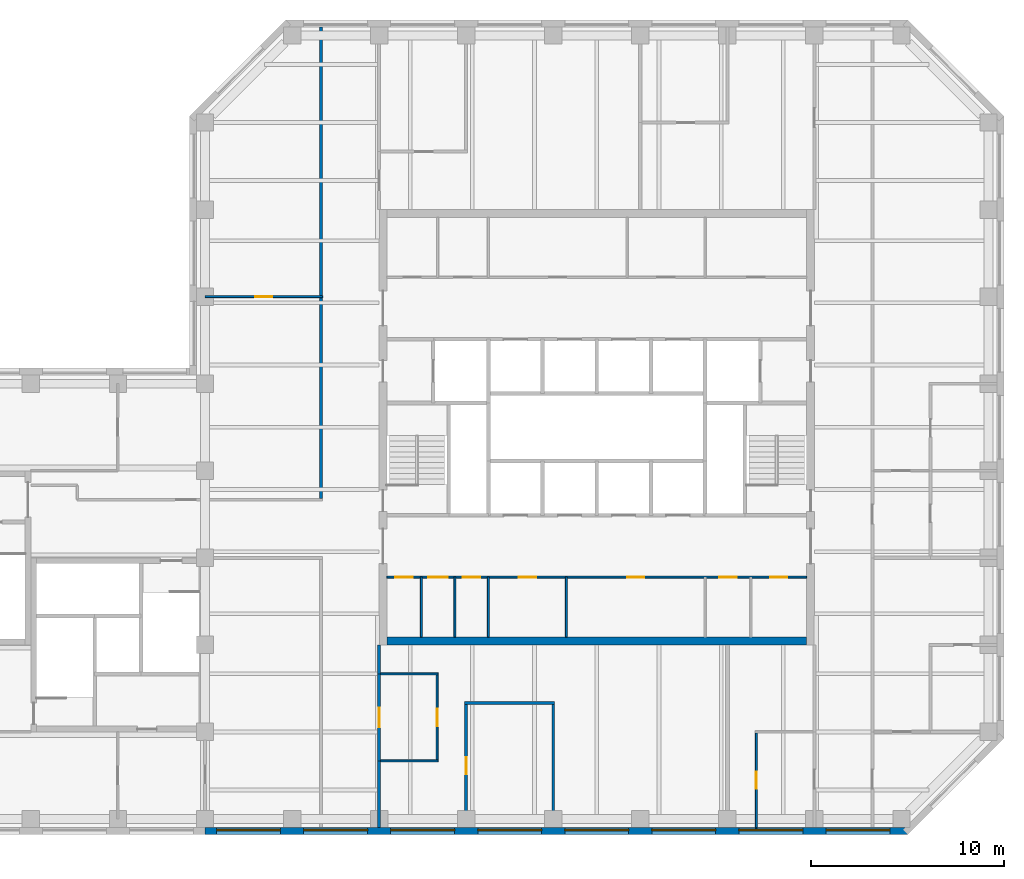
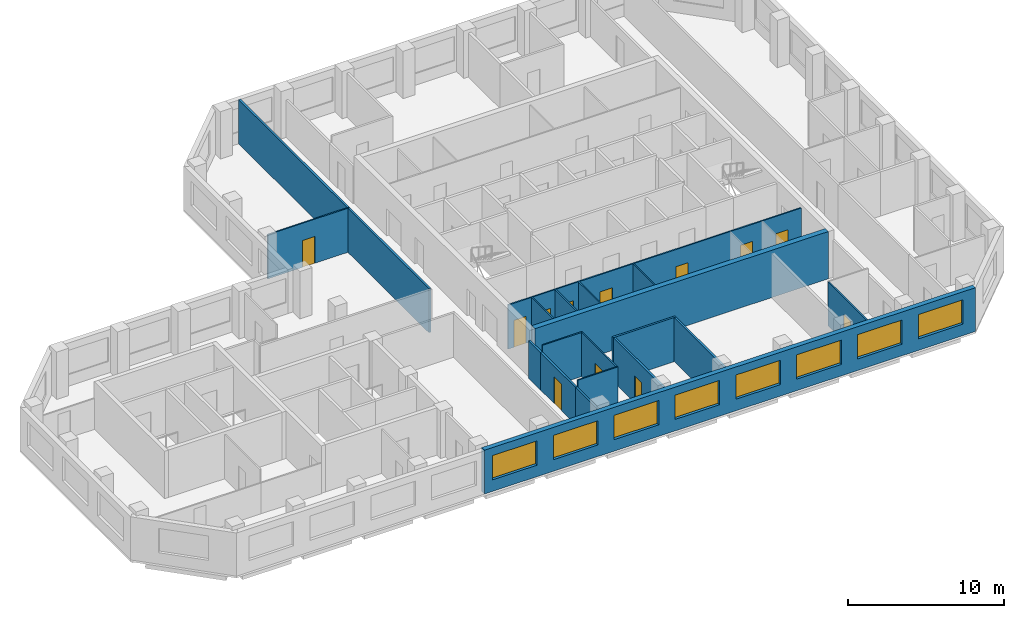
# One storey, part 4 of 9: 19 walls, 12 doors, 8 windows, 20 openings.
"""IFC4 building model written with IfcOpenShell, lengths in metres."""

from ifc_helpers import new_model, si_unit, direction, frame, frame_2d, origin, place, context, subcontext, project, spatial, rectangle, extrude, material, layer, layer_set, constituent, constituent_set, type_object, element, fill, save


model = new_model("IFC4")

# Units and contexts
model_context = context("Model", 3, precision=1e-05, world=origin(), true_north=direction((0.0, 1.0)))
body_context = subcontext(model_context, "Body", "Model", "MODEL_VIEW")
ifc_project = project(units=[si_unit("LENGTHUNIT", "METRE"), si_unit("AREAUNIT", "SQUARE_METRE"), si_unit("VOLUMEUNIT", "CUBIC_METRE"), si_unit("PLANEANGLEUNIT", "RADIAN"), si_unit("MASSUNIT", "GRAM", prefix="KILO")], contexts=[model_context])

# Site, building, storey
site_placement = place(None, origin())
site = spatial("IfcSite", under=ifc_project, at=site_placement, CompositionType="ELEMENT")
building_placement = place(site_placement, origin())
building = spatial("IfcBuilding", under=site, at=building_placement, Name="Quoin Convention Tower", CompositionType="ELEMENT")
storey_placement = place(building_placement, frame((0.0, 0.0, 260.0)))
storey = spatial("IfcBuildingStorey", under=building, at=storey_placement, Name="L68", CompositionType="ELEMENT", Elevation=260.0)

# Wall
ifc_material_1 = material(Name="Plasterboard")
ifc_layer_1 = layer(ifc_material_1, 0.012451171875, Name="Finish")
ifc_material_2 = material(Name="Steel stud framing", Category="steel")
ifc_layer_2 = layer(ifc_material_2, 0.125, Name="Structure")
ifc_layer_3 = layer(ifc_material_1, 0.012451171875, Name="Finish")
ifc_layer_set_1 = layer_set([ifc_layer_1, ifc_layer_2, ifc_layer_3], Name="Steel stud framing")
wall_type_1 = type_object("IfcWallType", Name="Acoustic partition 150", PredefinedType="PARTITIONING", material=ifc_layer_set_1)
wall_1_placement = place(storey_placement, frame((49.425048828125, 46.5, 0.0), z_axis=(0.0, 0.0, 1.0), x_axis=(1.0, 0.0, 0.0)))
element("IfcWall", 1, at=wall_1_placement, inside=storey, type_object=wall_type_1, Name="pw-L68-005", PredefinedType="PARTITIONING", context=body_context, shape_type="SweptSolid", body=[
    extrude(rectangle(XDim=4.64990234375, YDim=0.14990234375, at=frame_2d((2.324951171875, 0.0))), origin(), (0.0, 0.0, 1.0), 3.449951171875),
])

# Wall, opening, door
wall_2_placement = place(storey_placement, frame((49.5, 40.050048828125, 0.0), z_axis=(0.0, 0.0, 1.0), x_axis=(0.0, 1.0, 0.0)))
wall_2 = element("IfcWall", 2, at=wall_2_placement, inside=storey, type_object=wall_type_1, Name="pw-L68-023", PredefinedType="PARTITIONING", context=body_context, shape_type="SweptSolid", body=[
    extrude(rectangle(XDim=6.375, YDim=0.14990234375, at=frame_2d((3.1875, 0.0))), origin(), (0.0, 0.0, 1.0), 3.449951171875),
])
opening_1_placement = place(wall_2_placement, frame((2.75, 0.0, 0.0)))
opening_1 = element("IfcOpeningElement", 3, at=opening_1_placement, cuts=wall_2, Name="Opening DOHS-07", PredefinedType="OPENING", context=body_context, shape_type="SweptSolid", body=[
    extrude(rectangle(XDim=0.89990234375, YDim=2.10009765625, at=frame_2d((0.449951171875, 1.050048828125))), frame((0.0, 0.0849609375, 0.0), z_axis=(0.0, -1.0, 0.0), x_axis=(1.0, 0.0, 0.0)), (0.0, 0.0, 1.0), 0.169921875),
])
ifc_material_3 = material(Name="Steel door leaf", Category="steel")
door_type_1 = type_object("IfcDoorType", Name="Office door 900 x 2100", OperationType="SINGLE_SWING_RIGHT", PredefinedType="DOOR", material=ifc_material_3)
door_1_placement = place(opening_1_placement, origin())
door_1 = element("IfcDoor", 4, at=door_1_placement, inside=storey, type_object=door_type_1, Name="dr-L68-07", OperationType="SINGLE_SWING_RIGHT", OverallHeight=2.10009765625, OverallWidth=0.89990234375, PredefinedType="DOOR", context=body_context, shape_type="SweptSolid", body=[
    extrude(rectangle(XDim=0.89990234375, YDim=2.10009765625, at=frame_2d((0.449951171875, 1.050048828125))), frame((0.0, 0.02490234375, 0.0), z_axis=(0.0, -1.0, 0.0), x_axis=(1.0, 0.0, 0.0)), (0.0, 0.0, 1.0), 0.050048828125),
])
fill(opening_1, door_1)

# Wall
wall_3_placement = place(storey_placement, frame((54.0, 40.050048828125, 0.0), z_axis=(0.0, 0.0, 1.0), x_axis=(0.0, 1.0, 0.0)))
element("IfcWall", 5, at=wall_3_placement, inside=storey, type_object=wall_type_1, Name="pw-L68-024", PredefinedType="PARTITIONING", context=body_context, shape_type="SweptSolid", body=[
    extrude(rectangle(XDim=6.375, YDim=0.14990234375, at=frame_2d((3.1875, 0.0))), origin(), (0.0, 0.0, 1.0), 3.449951171875),
])

# Wall, openings, windows
ifc_material_4 = material(Name="Brick masonry", Category="masonry")
ifc_layer_4 = layer(ifc_material_4, 0.35009765625)
ifc_layer_set_2 = layer_set([ifc_layer_4], Name="Brick masonry")
wall_type_2 = type_object("IfcWallType", Name="Brick facade wall", PredefinedType="STANDARD", material=ifc_layer_set_2)
wall_4_placement = place(storey_placement, frame((36.0, 39.875, 0.0), z_axis=(0.0, 0.0, 1.0), x_axis=(1.0, 0.0, 0.0)))
wall_4 = element("IfcWall", 6, at=wall_4_placement, inside=storey, type_object=wall_type_2, Name="fw-L68-36000_40500", PredefinedType="STANDARD", context=body_context, shape_type="SweptSolid", body=[
    extrude(rectangle(XDim=36.331298828125, YDim=0.35009765625, at=frame_2d((18.16552734375, 0.0))), origin(), (0.0, 0.0, 1.0), 3.425048828125),
])
opening_2_placement = place(wall_4_placement, frame((0.60009765625, 0.0, 0.89990234375)))
opening_2 = element("IfcOpeningElement", 7, at=opening_2_placement, cuts=wall_4, Name="Opening W-02", PredefinedType="OPENING", context=body_context, shape_type="SweptSolid", body=[
    extrude(rectangle(XDim=3.300048828125, YDim=1.89990234375, at=frame_2d((1.64990234375, 0.949951171875))), frame((0.0, 0.18505859375, 0.0), z_axis=(0.0, -1.0, 0.0), x_axis=(1.0, 0.0, 0.0)), (0.0, 0.0, 1.0), 0.3701171875),
])
opening_3_placement = place(wall_4_placement, frame((5.10009765625, 0.0, 0.89990234375)))
opening_3 = element("IfcOpeningElement", 8, at=opening_3_placement, cuts=wall_4, Name="Opening W-02", PredefinedType="OPENING", context=body_context, shape_type="SweptSolid", body=[
    extrude(rectangle(XDim=3.300048828125, YDim=1.89990234375, at=frame_2d((1.64990234375, 0.949951171875))), frame((0.0, 0.18505859375, 0.0), z_axis=(0.0, -1.0, 0.0), x_axis=(1.0, 0.0, 0.0)), (0.0, 0.0, 1.0), 0.3701171875),
])
opening_4_placement = place(wall_4_placement, frame((9.60009765625, 0.0, 0.89990234375)))
opening_4 = element("IfcOpeningElement", 9, at=opening_4_placement, cuts=wall_4, Name="Opening W-02", PredefinedType="OPENING", context=body_context, shape_type="SweptSolid", body=[
    extrude(rectangle(XDim=3.300048828125, YDim=1.89990234375, at=frame_2d((1.64990234375, 0.949951171875))), frame((0.0, 0.18505859375, 0.0), z_axis=(0.0, -1.0, 0.0), x_axis=(1.0, 0.0, 0.0)), (0.0, 0.0, 1.0), 0.3701171875),
])
opening_5_placement = place(wall_4_placement, frame((14.10009765625, 0.0, 0.89990234375)))
opening_5 = element("IfcOpeningElement", 10, at=opening_5_placement, cuts=wall_4, Name="Opening W-02", PredefinedType="OPENING", context=body_context, shape_type="SweptSolid", body=[
    extrude(rectangle(XDim=3.300048828125, YDim=1.89990234375, at=frame_2d((1.64990234375, 0.949951171875))), frame((0.0, 0.18505859375, 0.0), z_axis=(0.0, -1.0, 0.0), x_axis=(1.0, 0.0, 0.0)), (0.0, 0.0, 1.0), 0.3701171875),
])
opening_6_placement = place(wall_4_placement, frame((18.60009765625, 0.0, 0.89990234375)))
opening_6 = element("IfcOpeningElement", 11, at=opening_6_placement, cuts=wall_4, Name="Opening W-02", PredefinedType="OPENING", context=body_context, shape_type="SweptSolid", body=[
    extrude(rectangle(XDim=3.300048828125, YDim=1.89990234375, at=frame_2d((1.64990234375, 0.949951171875))), frame((0.0, 0.18505859375, 0.0), z_axis=(0.0, -1.0, 0.0), x_axis=(1.0, 0.0, 0.0)), (0.0, 0.0, 1.0), 0.3701171875),
])
opening_7_placement = place(wall_4_placement, frame((23.10009765625, 0.0, 0.89990234375)))
opening_7 = element("IfcOpeningElement", 12, at=opening_7_placement, cuts=wall_4, Name="Opening W-02", PredefinedType="OPENING", context=body_context, shape_type="SweptSolid", body=[
    extrude(rectangle(XDim=3.300048828125, YDim=1.89990234375, at=frame_2d((1.64990234375, 0.949951171875))), frame((0.0, 0.18505859375, 0.0), z_axis=(0.0, -1.0, 0.0), x_axis=(1.0, 0.0, 0.0)), (0.0, 0.0, 1.0), 0.3701171875),
])
opening_8_placement = place(wall_4_placement, frame((27.60009765625, 0.0, 0.89990234375)))
opening_8 = element("IfcOpeningElement", 13, at=opening_8_placement, cuts=wall_4, Name="Opening W-02", PredefinedType="OPENING", context=body_context, shape_type="SweptSolid", body=[
    extrude(rectangle(XDim=3.300048828125, YDim=1.89990234375, at=frame_2d((1.64990234375, 0.949951171875))), frame((0.0, 0.18505859375, 0.0), z_axis=(0.0, -1.0, 0.0), x_axis=(1.0, 0.0, 0.0)), (0.0, 0.0, 1.0), 0.3701171875),
])
opening_9_placement = place(wall_4_placement, frame((32.10009765625, 0.0, 0.89990234375)))
opening_9 = element("IfcOpeningElement", 14, at=opening_9_placement, cuts=wall_4, Name="Opening W-02", PredefinedType="OPENING", context=body_context, shape_type="SweptSolid", body=[
    extrude(rectangle(XDim=3.300048828125, YDim=1.89990234375, at=frame_2d((1.64990234375, 0.949951171875))), frame((0.0, 0.18505859375, 0.0), z_axis=(0.0, -1.0, 0.0), x_axis=(1.0, 0.0, 0.0)), (0.0, 0.0, 1.0), 0.3701171875),
])
ifc_material_5 = material(Name="Aluminium", Category="aluminium")
ifc_constituent_1 = constituent(ifc_material_5, Name="Frame")
ifc_material_6 = material(Name="Insulated glass", Category="glass")
ifc_constituent_2 = constituent(ifc_material_6, Name="Glazing")
ifc_constituent_set = constituent_set(constituents=[ifc_constituent_1, ifc_constituent_2], Name="Aluminium")
window_type = type_object("IfcWindowType", Name="Office window", PartitioningType="DOUBLE_PANEL_VERTICAL", PredefinedType="WINDOW", material=ifc_constituent_set)
window_1_placement = place(opening_2_placement, origin())
window_1 = element("IfcWindow", 15, at=window_1_placement, inside=storey, type_object=window_type, Name="win-L68-38250_39875", OverallHeight=1.89990234375, OverallWidth=3.300048828125, PartitioningType="SINGLE_PANEL", PredefinedType="WINDOW", context=body_context, shape_type="SweptSolid", body=[
    extrude(rectangle(XDim=3.300048828125, YDim=1.89990234375, at=frame_2d((1.64990234375, 0.949951171875))), frame((0.0, 0.0849609375, 0.0), z_axis=(0.0, -1.0, 0.0), x_axis=(1.0, 0.0, 0.0)), (0.0, 0.0, 1.0), 0.06005859375),
])
fill(opening_2, window_1)
window_2_placement = place(opening_3_placement, origin())
window_2 = element("IfcWindow", 16, at=window_2_placement, inside=storey, type_object=window_type, Name="win-L68-42750_39875", OverallHeight=1.89990234375, OverallWidth=3.300048828125, PartitioningType="SINGLE_PANEL", PredefinedType="WINDOW", context=body_context, shape_type="SweptSolid", body=[
    extrude(rectangle(XDim=3.300048828125, YDim=1.89990234375, at=frame_2d((1.64990234375, 0.949951171875))), frame((0.0, 0.0849609375, 0.0), z_axis=(0.0, -1.0, 0.0), x_axis=(1.0, 0.0, 0.0)), (0.0, 0.0, 1.0), 0.06005859375),
])
fill(opening_3, window_2)
window_3_placement = place(opening_4_placement, origin())
window_3 = element("IfcWindow", 17, at=window_3_placement, inside=storey, type_object=window_type, Name="win-L68-47250_39875", OverallHeight=1.89990234375, OverallWidth=3.300048828125, PartitioningType="SINGLE_PANEL", PredefinedType="WINDOW", context=body_context, shape_type="SweptSolid", body=[
    extrude(rectangle(XDim=3.300048828125, YDim=1.89990234375, at=frame_2d((1.64990234375, 0.949951171875))), frame((0.0, 0.0849609375, 0.0), z_axis=(0.0, -1.0, 0.0), x_axis=(1.0, 0.0, 0.0)), (0.0, 0.0, 1.0), 0.06005859375),
])
fill(opening_4, window_3)
window_4_placement = place(opening_5_placement, origin())
window_4 = element("IfcWindow", 18, at=window_4_placement, inside=storey, type_object=window_type, Name="win-L68-51750_39875", OverallHeight=1.89990234375, OverallWidth=3.300048828125, PartitioningType="SINGLE_PANEL", PredefinedType="WINDOW", context=body_context, shape_type="SweptSolid", body=[
    extrude(rectangle(XDim=3.300048828125, YDim=1.89990234375, at=frame_2d((1.64990234375, 0.949951171875))), frame((0.0, 0.0849609375, 0.0), z_axis=(0.0, -1.0, 0.0), x_axis=(1.0, 0.0, 0.0)), (0.0, 0.0, 1.0), 0.06005859375),
])
fill(opening_5, window_4)
window_5_placement = place(opening_6_placement, origin())
window_5 = element("IfcWindow", 19, at=window_5_placement, inside=storey, type_object=window_type, Name="win-L68-56250_39875", OverallHeight=1.89990234375, OverallWidth=3.300048828125, PartitioningType="SINGLE_PANEL", PredefinedType="WINDOW", context=body_context, shape_type="SweptSolid", body=[
    extrude(rectangle(XDim=3.300048828125, YDim=1.89990234375, at=frame_2d((1.64990234375, 0.949951171875))), frame((0.0, 0.0849609375, 0.0), z_axis=(0.0, -1.0, 0.0), x_axis=(1.0, 0.0, 0.0)), (0.0, 0.0, 1.0), 0.06005859375),
])
fill(opening_6, window_5)
window_6_placement = place(opening_7_placement, origin())
window_6 = element("IfcWindow", 20, at=window_6_placement, inside=storey, type_object=window_type, Name="win-L68-60750_39875", OverallHeight=1.89990234375, OverallWidth=3.300048828125, PartitioningType="SINGLE_PANEL", PredefinedType="WINDOW", context=body_context, shape_type="SweptSolid", body=[
    extrude(rectangle(XDim=3.300048828125, YDim=1.89990234375, at=frame_2d((1.64990234375, 0.949951171875))), frame((0.0, 0.0849609375, 0.0), z_axis=(0.0, -1.0, 0.0), x_axis=(1.0, 0.0, 0.0)), (0.0, 0.0, 1.0), 0.06005859375),
])
fill(opening_7, window_6)
window_7_placement = place(opening_8_placement, origin())
window_7 = element("IfcWindow", 21, at=window_7_placement, inside=storey, type_object=window_type, Name="win-L68-65250_39875", OverallHeight=1.89990234375, OverallWidth=3.300048828125, PartitioningType="SINGLE_PANEL", PredefinedType="WINDOW", context=body_context, shape_type="SweptSolid", body=[
    extrude(rectangle(XDim=3.300048828125, YDim=1.89990234375, at=frame_2d((1.64990234375, 0.949951171875))), frame((0.0, 0.0849609375, 0.0), z_axis=(0.0, -1.0, 0.0), x_axis=(1.0, 0.0, 0.0)), (0.0, 0.0, 1.0), 0.06005859375),
])
fill(opening_8, window_7)
window_8_placement = place(opening_9_placement, origin())
window_8 = element("IfcWindow", 22, at=window_8_placement, inside=storey, type_object=window_type, Name="win-L68-69750_39875", OverallHeight=1.89990234375, OverallWidth=3.300048828125, PartitioningType="SINGLE_PANEL", PredefinedType="WINDOW", context=body_context, shape_type="SweptSolid", body=[
    extrude(rectangle(XDim=3.300048828125, YDim=1.89990234375, at=frame_2d((1.64990234375, 0.949951171875))), frame((0.0, 0.0849609375, 0.0), z_axis=(0.0, -1.0, 0.0), x_axis=(1.0, 0.0, 0.0)), (0.0, 0.0, 1.0), 0.06005859375),
])
fill(opening_9, window_8)

# Wall, openings, doors
ifc_layer_5 = layer(ifc_material_1, 0.012451171875, Name="Finish")
ifc_layer_6 = layer(ifc_material_2, 0.074951171875, Name="Structure")
ifc_layer_7 = layer(ifc_material_1, 0.012451171875, Name="Finish")
ifc_layer_set_3 = layer_set([ifc_layer_5, ifc_layer_6, ifc_layer_7], Name="Steel stud framing")
wall_type_3 = type_object("IfcWallType", Name="Core partition wall", PredefinedType="PARTITIONING", material=ifc_layer_set_3)
wall_5_placement = place(storey_placement, frame((45.39990234375, 53.0, 0.0), z_axis=(0.0, 0.0, 1.0), x_axis=(1.0, 0.0, 0.0)))
wall_5 = element("IfcWall", 23, at=wall_5_placement, inside=storey, type_object=wall_type_3, Name="cr-C1-L68-h3500_400", PredefinedType="PARTITIONING", context=body_context, shape_type="SweptSolid", body=[
    extrude(rectangle(XDim=21.7001953125, YDim=0.10009765625, at=frame_2d((10.85009765625, 0.0))), origin(), (0.0, 0.0, 1.0), 3.449951171875),
])
opening_10_placement = place(wall_5_placement, frame((19.806396484375, 0.0, 0.0)))
opening_10 = element("IfcOpeningElement", 24, at=opening_10_placement, cuts=wall_5, Name="Opening DCV5-40", PredefinedType="OPENING", context=body_context, shape_type="SweptSolid", body=[
    extrude(rectangle(XDim=0.89990234375, YDim=2.10009765625, at=frame_2d((0.449951171875, 1.050048828125))), frame((0.0, 0.06005859375, 0.0), z_axis=(0.0, -1.0, 0.0), x_axis=(1.0, 0.0, 0.0)), (0.0, 0.0, 1.0), 0.1201171875),
])
opening_11_placement = place(wall_5_placement, frame((17.181396484375, 0.0, 0.0)))
opening_11 = element("IfcOpeningElement", 25, at=opening_11_placement, cuts=wall_5, Name="Opening DCV5-39", PredefinedType="OPENING", context=body_context, shape_type="SweptSolid", body=[
    extrude(rectangle(XDim=0.89990234375, YDim=2.10009765625, at=frame_2d((0.449951171875, 1.050048828125))), frame((0.0, 0.06005859375, 0.0), z_axis=(0.0, -1.0, 0.0), x_axis=(1.0, 0.0, 0.0)), (0.0, 0.0, 1.0), 0.1201171875),
])
opening_12_placement = place(wall_5_placement, frame((0.4423828125, 0.0, 0.0)))
opening_12 = element("IfcOpeningElement", 26, at=opening_12_placement, cuts=wall_5, Name="Opening DCV5-31", PredefinedType="OPENING", context=body_context, shape_type="SweptSolid", body=[
    extrude(rectangle(XDim=0.89990234375, YDim=2.10009765625, at=frame_2d((0.449951171875, 1.050048828125))), frame((0.0, 0.06005859375, 0.0), z_axis=(0.0, -1.0, 0.0), x_axis=(1.0, 0.0, 0.0)), (0.0, 0.0, 1.0), 0.1201171875),
])
opening_13_placement = place(wall_5_placement, frame((2.1513671875, 0.0, 0.0)))
opening_13 = element("IfcOpeningElement", 27, at=opening_13_placement, cuts=wall_5, Name="Opening DCV5-32", PredefinedType="OPENING", context=body_context, shape_type="SweptSolid", body=[
    extrude(rectangle(XDim=1.0, YDim=2.10009765625, at=frame_2d((0.5, 1.050048828125))), frame((0.0, 0.06005859375, 0.0), z_axis=(0.0, -1.0, 0.0), x_axis=(1.0, 0.0, 0.0)), (0.0, 0.0, 1.0), 0.1201171875),
])
opening_14_placement = place(wall_5_placement, frame((3.93359375, 0.0, 0.0)))
opening_14 = element("IfcOpeningElement", 28, at=opening_14_placement, cuts=wall_5, Name="Opening DCV5-33", PredefinedType="OPENING", context=body_context, shape_type="SweptSolid", body=[
    extrude(rectangle(XDim=0.89990234375, YDim=2.10009765625, at=frame_2d((0.449951171875, 1.050048828125))), frame((0.0, 0.06005859375, 0.0), z_axis=(0.0, -1.0, 0.0), x_axis=(1.0, 0.0, 0.0)), (0.0, 0.0, 1.0), 0.1201171875),
])
opening_15_placement = place(wall_5_placement, frame((6.81591796875, 0.0, 0.0)))
opening_15 = element("IfcOpeningElement", 29, at=opening_15_placement, cuts=wall_5, Name="Opening DCV5-35", PredefinedType="OPENING", context=body_context, shape_type="SweptSolid", body=[
    extrude(rectangle(XDim=0.89990234375, YDim=2.10009765625, at=frame_2d((0.449951171875, 1.050048828125))), frame((0.0, 0.06005859375, 0.0), z_axis=(0.0, -1.0, 0.0), x_axis=(1.0, 0.0, 0.0)), (0.0, 0.0, 1.0), 0.1201171875),
])
opening_16_placement = place(wall_5_placement, frame((12.416015625, 0.0, 0.0)))
opening_16 = element("IfcOpeningElement", 30, at=opening_16_placement, cuts=wall_5, Name="Opening DCV5-37", PredefinedType="OPENING", context=body_context, shape_type="SweptSolid", body=[
    extrude(rectangle(XDim=0.89990234375, YDim=2.10009765625, at=frame_2d((0.449951171875, 1.050048828125))), frame((0.0, 0.06005859375, 0.0), z_axis=(0.0, -1.0, 0.0), x_axis=(1.0, 0.0, 0.0)), (0.0, 0.0, 1.0), 0.1201171875),
])
door_type_2 = type_object("IfcDoorType", Name="Core room door 1000 x 2100", OperationType="SINGLE_SWING_LEFT", PredefinedType="DOOR", material=ifc_material_3)
door_2_placement = place(opening_13_placement, frame((1.0, 0.0, 0.0), z_axis=(0.0, 0.0, 1.0), x_axis=(-1.0, 0.0, 0.0)))
door_2 = element("IfcDoor", 31, at=door_2_placement, inside=storey, type_object=door_type_2, Name="cd-C1-L68-CSW1-lobA-CD6813", OperationType="SINGLE_SWING_LEFT", OverallHeight=2.10009765625, OverallWidth=1.0, PredefinedType="DOOR", context=body_context, shape_type="SweptSolid", body=[
    extrude(rectangle(XDim=1.0, YDim=2.10009765625, at=frame_2d((0.5, 1.050048828125))), frame((0.0, 0.02490234375, 0.0), z_axis=(0.0, -1.0, 0.0), x_axis=(1.0, 0.0, 0.0)), (0.0, 0.0, 1.0), 0.050048828125),
])
fill(opening_13, door_2)
door_type_3 = type_object("IfcDoorType", Name="Core room door 900 x 2100", OperationType="SINGLE_SWING_LEFT", PredefinedType="DOOR", material=ifc_material_3)
door_3_placement = place(opening_10_placement, frame((0.89990234375, 0.0, 0.0), z_axis=(0.0, 0.0, 1.0), x_axis=(-1.0, 0.0, 0.0)))
door_3 = element("IfcDoor", 32, at=door_3_placement, inside=storey, type_object=door_type_3, Name="cd-C1-L68-CSE0-lobA-CD6810", OperationType="SINGLE_SWING_LEFT", OverallHeight=2.10009765625, OverallWidth=0.89990234375, PredefinedType="DOOR", context=body_context, shape_type="SweptSolid", body=[
    extrude(rectangle(XDim=0.89990234375, YDim=2.10009765625, at=frame_2d((0.449951171875, 1.050048828125))), frame((0.0, 0.02490234375, 0.0), z_axis=(0.0, -1.0, 0.0), x_axis=(1.0, 0.0, 0.0)), (0.0, 0.0, 1.0), 0.050048828125),
])
fill(opening_10, door_3)
door_4_placement = place(opening_11_placement, frame((0.89990234375, 0.0, 0.0), z_axis=(0.0, 0.0, 1.0), x_axis=(-1.0, 0.0, 0.0)))
door_4 = element("IfcDoor", 33, at=door_4_placement, inside=storey, type_object=door_type_3, Name="cd-C1-L68-CSE1-lobA-CD6811", OperationType="SINGLE_SWING_LEFT", OverallHeight=2.10009765625, OverallWidth=0.89990234375, PredefinedType="DOOR", context=body_context, shape_type="SweptSolid", body=[
    extrude(rectangle(XDim=0.89990234375, YDim=2.10009765625, at=frame_2d((0.449951171875, 1.050048828125))), frame((0.0, 0.02490234375, 0.0), z_axis=(0.0, -1.0, 0.0), x_axis=(1.0, 0.0, 0.0)), (0.0, 0.0, 1.0), 0.050048828125),
])
fill(opening_11, door_4)
door_5_placement = place(opening_12_placement, frame((0.89990234375, 0.0, 0.0), z_axis=(0.0, 0.0, 1.0), x_axis=(-1.0, 0.0, 0.0)))
door_5 = element("IfcDoor", 34, at=door_5_placement, inside=storey, type_object=door_type_3, Name="cd-C1-L68-CSW0-lobA-CD6812", OperationType="SINGLE_SWING_LEFT", OverallHeight=2.10009765625, OverallWidth=0.89990234375, PredefinedType="DOOR", context=body_context, shape_type="SweptSolid", body=[
    extrude(rectangle(XDim=0.89990234375, YDim=2.10009765625, at=frame_2d((0.449951171875, 1.050048828125))), frame((0.0, 0.02490234375, 0.0), z_axis=(0.0, -1.0, 0.0), x_axis=(1.0, 0.0, 0.0)), (0.0, 0.0, 1.0), 0.050048828125),
])
fill(opening_12, door_5)
door_6_placement = place(opening_14_placement, frame((0.89990234375, 0.0, 0.0), z_axis=(0.0, 0.0, 1.0), x_axis=(-1.0, 0.0, 0.0)))
door_6 = element("IfcDoor", 35, at=door_6_placement, inside=storey, type_object=door_type_3, Name="cd-C1-L68-CSW2-lobA-CD6814", OperationType="SINGLE_SWING_LEFT", OverallHeight=2.10009765625, OverallWidth=0.89990234375, PredefinedType="DOOR", context=body_context, shape_type="SweptSolid", body=[
    extrude(rectangle(XDim=0.89990234375, YDim=2.10009765625, at=frame_2d((0.449951171875, 1.050048828125))), frame((0.0, 0.02490234375, 0.0), z_axis=(0.0, -1.0, 0.0), x_axis=(1.0, 0.0, 0.0)), (0.0, 0.0, 1.0), 0.050048828125),
])
fill(opening_14, door_6)
door_7_placement = place(opening_15_placement, frame((0.89990234375, 0.0, 0.0), z_axis=(0.0, 0.0, 1.0), x_axis=(-1.0, 0.0, 0.0)))
door_7 = element("IfcDoor", 36, at=door_7_placement, inside=storey, type_object=door_type_3, Name="cd-C1-L68-F10-lobA-CD6815", OperationType="SINGLE_SWING_LEFT", OverallHeight=2.10009765625, OverallWidth=0.89990234375, PredefinedType="DOOR", context=body_context, shape_type="SweptSolid", body=[
    extrude(rectangle(XDim=0.89990234375, YDim=2.10009765625, at=frame_2d((0.449951171875, 1.050048828125))), frame((0.0, 0.02490234375, 0.0), z_axis=(0.0, -1.0, 0.0), x_axis=(1.0, 0.0, 0.0)), (0.0, 0.0, 1.0), 0.050048828125),
])
fill(opening_15, door_7)
door_8_placement = place(opening_16_placement, frame((0.89990234375, 0.0, 0.0), z_axis=(0.0, 0.0, 1.0), x_axis=(-1.0, 0.0, 0.0)))
door_8 = element("IfcDoor", 37, at=door_8_placement, inside=storey, type_object=door_type_3, Name="cd-C1-L68-F11-lobA-CD6816", OperationType="SINGLE_SWING_LEFT", OverallHeight=2.10009765625, OverallWidth=0.89990234375, PredefinedType="DOOR", context=body_context, shape_type="SweptSolid", body=[
    extrude(rectangle(XDim=0.89990234375, YDim=2.10009765625, at=frame_2d((0.449951171875, 1.050048828125))), frame((0.0, 0.02490234375, 0.0), z_axis=(0.0, -1.0, 0.0), x_axis=(1.0, 0.0, 0.0)), (0.0, 0.0, 1.0), 0.050048828125),
])
fill(opening_16, door_8)

# Walls
for number, where, z_axis, x_axis, name in (
    (38, (47.18505859375, 49.89990234375, 0.0), (0.0, 0.0, 1.0), (0.0, 1.0, 0.0), "cr-C1-L68-v2185_400"),
    (39, (48.91748046875, 49.89990234375, 0.0), (0.0, 0.0, 1.0), (0.0, 1.0, 0.0), "cr-C1-L68-v3918_400"),
    (40, (50.64990234375, 49.89990234375, 0.0), (0.0, 0.0, 1.0), (0.0, 1.0, 0.0), "cr-C1-L68-v5650_400"),
    (41, (54.681884765625, 49.89990234375, 0.0), (0.0, 0.0, 1.0), (0.0, 1.0, 0.0), "cr-C1-L68-v9682_400"),
):
    element("IfcWall", number, at=place(storey_placement, frame(where, z_axis=z_axis, x_axis=x_axis)), inside=storey, type_object=wall_type_3, Name=name, PredefinedType="PARTITIONING", context=body_context, shape_type="SweptSolid", body=[
        extrude(rectangle(XDim=3.10009765625, YDim=0.10009765625, at=frame_2d((1.550048828125, 0.0))), origin(), (0.0, 0.0, 1.0), 3.449951171875),
    ])
ifc_layer_8 = layer(ifc_material_1, 0.012451171875, Name="Finish")
ifc_layer_9 = layer(ifc_material_2, 0.125, Name="Structure")
ifc_layer_10 = layer(ifc_material_1, 0.012451171875, Name="Finish")
ifc_layer_set_4 = layer_set([ifc_layer_8, ifc_layer_9, ifc_layer_10], Name="Steel stud framing")
wall_type_4 = type_object("IfcWallType", Name="Corridor wall 150", PredefinedType="PARTITIONING", material=ifc_layer_set_4)
wall_6_placement = place(storey_placement, frame((42.0, 57.074951171875, 0.0), z_axis=(0.0, 0.0, 1.0), x_axis=(0.0, 1.0, 0.0)))
element("IfcWall", 42, at=wall_6_placement, inside=storey, type_object=wall_type_4, Name="pw-L68-041", PredefinedType="PARTITIONING", context=body_context, shape_type="SweptSolid", body=[
    extrude(rectangle(XDim=24.375, YDim=0.14990234375, at=frame_2d((12.1875, 0.0))), origin(), (0.0, 0.0, 1.0), 3.449951171875),
])
ifc_layer_11 = layer(ifc_material_1, 0.012451171875, Name="Finish")
ifc_layer_12 = layer(ifc_material_2, 0.125, Name="Structure")
ifc_layer_13 = layer(ifc_material_1, 0.012451171875, Name="Finish")
ifc_layer_set_5 = layer_set([ifc_layer_11, ifc_layer_12, ifc_layer_13], Name="Steel stud framing")
wall_type_5 = type_object("IfcWallType", Name="Corridor wall 150 under beam 528", PredefinedType="PARTITIONING", material=ifc_layer_set_5)
wall_7_placement = place(storey_placement, frame((45.0, 40.050048828125, 0.0), z_axis=(0.0, 0.0, 1.0), x_axis=(0.0, 1.0, 0.0)))
element("IfcWall", 43, at=wall_7_placement, inside=storey, type_object=wall_type_5, Name="pw-L68-022", PredefinedType="PARTITIONING", context=body_context, shape_type="SweptSolid", body=[
    extrude(rectangle(XDim=3.449951171875, YDim=0.14990234375, at=frame_2d((1.72509765625, 0.0))), origin(), (0.0, 0.0, 1.0), 2.922119140625),
])

# Wall, opening, door
wall_8_placement = place(storey_placement, frame((45.0, 43.5, 0.0), z_axis=(0.0, 0.0, 1.0), x_axis=(0.0, 1.0, 0.0)))
wall_8 = element("IfcWall", 44, at=wall_8_placement, inside=storey, type_object=wall_type_5, Name="pw-L68-030", PredefinedType="PARTITIONING", context=body_context, shape_type="SweptSolid", body=[
    extrude(rectangle(XDim=4.5, YDim=0.14990234375, at=frame_2d((2.25, 0.0))), origin(), (0.0, 0.0, 1.0), 2.922119140625),
])
opening_17_placement = place(wall_8_placement, frame((1.75, 0.0, 0.0)))
opening_17 = element("IfcOpeningElement", 45, at=opening_17_placement, cuts=wall_8, Name="Opening DOHS-12", PredefinedType="OPENING", context=body_context, shape_type="SweptSolid", body=[
    extrude(rectangle(XDim=1.0, YDim=2.10009765625, at=frame_2d((0.5, 1.050048828125))), frame((0.0, 0.0849609375, 0.0), z_axis=(0.0, -1.0, 0.0), x_axis=(1.0, 0.0, 0.0)), (0.0, 0.0, 1.0), 0.169921875),
])
door_type_4 = type_object("IfcDoorType", Name="Tenancy entrance door 1000 x 2100", OperationType="DOUBLE_DOOR_SINGLE_SWING", PredefinedType="DOOR", material=ifc_material_3)
door_9_placement = place(opening_17_placement, frame((1.0, 0.0, 0.0), z_axis=(0.0, 0.0, 1.0), x_axis=(-1.0, 0.0, 0.0)))
door_9 = element("IfcDoor", 46, at=door_9_placement, inside=storey, type_object=door_type_4, Name="dr-L68-05", OperationType="DOUBLE_DOOR_SINGLE_SWING", OverallHeight=2.10009765625, OverallWidth=1.0, PredefinedType="DOOR", context=body_context, shape_type="SweptSolid", body=[
    extrude(rectangle(XDim=1.0, YDim=2.10009765625, at=frame_2d((0.5, 1.050048828125))), frame((0.0, 0.02490234375, 0.0), z_axis=(0.0, -1.0, 0.0), x_axis=(1.0, 0.0, 0.0)), (0.0, 0.0, 1.0), 0.050048828125),
])
fill(opening_17, door_9)

# Walls
wall_9_placement = place(storey_placement, frame((45.0, 48.0, 0.0), z_axis=(0.0, 0.0, 1.0), x_axis=(0.0, 1.0, 0.0)))
element("IfcWall", 47, at=wall_9_placement, inside=storey, type_object=wall_type_5, Name="pw-L68-035", PredefinedType="PARTITIONING", context=body_context, shape_type="SweptSolid", body=[
    extrude(rectangle(XDim=1.5, YDim=0.14990234375, at=frame_2d((0.75, 0.0))), origin(), (0.0, 0.0, 1.0), 2.922119140625),
])
ifc_material_7 = material(Name="Concrete C50", Category="concrete")
ifc_layer_14 = layer(ifc_material_7, 0.39990234375)
ifc_layer_set_6 = layer_set([ifc_layer_14], Name="Concrete C50")
wall_type_6 = type_object("IfcWallType", Name="RC CORE WALL 400 C50", PredefinedType="SHEAR", material=ifc_layer_set_6)
wall_10_placement = place(storey_placement, frame((45.39990234375, 49.699951171875, 0.0), z_axis=(0.0, 0.0, 1.0), x_axis=(1.0, 0.0, 0.0)))
element("IfcWall", 48, at=wall_10_placement, inside=storey, type_object=wall_type_6, Name="cwl-C1-L68-S", PredefinedType="SHEAR", context=body_context, shape_type="SweptSolid", body=[
    extrude(rectangle(XDim=21.7001953125, YDim=0.39990234375, at=frame_2d((10.85009765625, 0.0))), origin(), (0.0, 0.0, 1.0), 3.699951171875),
])
ifc_layer_15 = layer(ifc_material_1, 0.012451171875, Name="Finish")
ifc_layer_16 = layer(ifc_material_2, 0.074951171875, Name="Structure")
ifc_layer_17 = layer(ifc_material_1, 0.012451171875, Name="Finish")
ifc_layer_set_7 = layer_set([ifc_layer_15, ifc_layer_16, ifc_layer_17], Name="Steel stud framing")
wall_type_7 = type_object("IfcWallType", Name="Stud partition 100", PredefinedType="PARTITIONING", material=ifc_layer_set_7)
for number, where, z_axis, x_axis, name in (
    (49, (45.074951171875, 43.5, 0.0), (0.0, 0.0, 1.0), (1.0, 0.0, 0.0), "pw-L68-001"),
    (50, (45.074951171875, 48.0, 0.0), (0.0, 0.0, 1.0), (1.0, 0.0, 0.0), "pw-L68-006"),
):
    element("IfcWall", number, at=place(storey_placement, frame(where, z_axis=z_axis, x_axis=x_axis)), inside=storey, type_object=wall_type_7, Name=name, PredefinedType="PARTITIONING", context=body_context, shape_type="SweptSolid", body=[
        extrude(rectangle(XDim=2.97509765625, YDim=0.10009765625, at=frame_2d((1.487548828125, 0.0))), origin(), (0.0, 0.0, 1.0), 3.449951171875),
    ])

# Wall, opening, door
wall_11_placement = place(storey_placement, frame((64.5, 40.050048828125, 0.0), z_axis=(0.0, 0.0, 1.0), x_axis=(0.0, 1.0, 0.0)))
wall_11 = element("IfcWall", 51, at=wall_11_placement, inside=storey, type_object=wall_type_7, Name="pw-L68-026", PredefinedType="PARTITIONING", context=body_context, shape_type="SweptSolid", body=[
    extrude(rectangle(XDim=4.89990234375, YDim=0.10009765625, at=frame_2d((2.449951171875, 0.0))), origin(), (0.0, 0.0, 1.0), 3.449951171875),
])
opening_18_placement = place(wall_11_placement, frame((2.0, 0.0, 0.0)))
opening_18 = element("IfcOpeningElement", 52, at=opening_18_placement, cuts=wall_11, Name="Opening DOHS-08", PredefinedType="OPENING", context=body_context, shape_type="SweptSolid", body=[
    extrude(rectangle(XDim=0.89990234375, YDim=2.10009765625, at=frame_2d((0.449951171875, 1.050048828125))), frame((0.0, 0.06005859375, 0.0), z_axis=(0.0, -1.0, 0.0), x_axis=(1.0, 0.0, 0.0)), (0.0, 0.0, 1.0), 0.1201171875),
])
door_10_placement = place(opening_18_placement, origin())
door_10 = element("IfcDoor", 53, at=door_10_placement, inside=storey, type_object=door_type_1, Name="dr-L68-09", OperationType="SINGLE_SWING_RIGHT", OverallHeight=2.10009765625, OverallWidth=0.89990234375, PredefinedType="DOOR", context=body_context, shape_type="SweptSolid", body=[
    extrude(rectangle(XDim=0.89990234375, YDim=2.10009765625, at=frame_2d((0.449951171875, 1.050048828125))), frame((0.0, 0.02490234375, 0.0), z_axis=(0.0, -1.0, 0.0), x_axis=(1.0, 0.0, 0.0)), (0.0, 0.0, 1.0), 0.050048828125),
])
fill(opening_18, door_10)

wall_12_placement = place(storey_placement, frame((48.0, 43.550048828125, 0.0), z_axis=(0.0, 0.0, 1.0), x_axis=(0.0, 1.0, 0.0)))
wall_12 = element("IfcWall", 54, at=wall_12_placement, inside=storey, type_object=wall_type_7, Name="pw-L68-031", PredefinedType="PARTITIONING", context=body_context, shape_type="SweptSolid", body=[
    extrude(rectangle(XDim=4.39990234375, YDim=0.10009765625, at=frame_2d((2.199951171875, 0.0))), origin(), (0.0, 0.0, 1.0), 3.449951171875),
])
opening_19_placement = place(wall_12_placement, frame((1.75, 0.0, 0.0)))
opening_19 = element("IfcOpeningElement", 55, at=opening_19_placement, cuts=wall_12, Name="Opening DOHS-13", PredefinedType="OPENING", context=body_context, shape_type="SweptSolid", body=[
    extrude(rectangle(XDim=0.89990234375, YDim=2.10009765625, at=frame_2d((0.449951171875, 1.050048828125))), frame((0.0, 0.06005859375, 0.0), z_axis=(0.0, -1.0, 0.0), x_axis=(1.0, 0.0, 0.0)), (0.0, 0.0, 1.0), 0.1201171875),
])
door_11_placement = place(opening_19_placement, frame((0.89990234375, 0.0, 0.0), z_axis=(0.0, 0.0, 1.0), x_axis=(-1.0, 0.0, 0.0)))
door_11 = element("IfcDoor", 56, at=door_11_placement, inside=storey, type_object=door_type_1, Name="dr-L68-06", OperationType="SINGLE_SWING_LEFT", OverallHeight=2.10009765625, OverallWidth=0.89990234375, PredefinedType="DOOR", context=body_context, shape_type="SweptSolid", body=[
    extrude(rectangle(XDim=0.89990234375, YDim=2.10009765625, at=frame_2d((0.449951171875, 1.050048828125))), frame((0.0, 0.02490234375, 0.0), z_axis=(0.0, -1.0, 0.0), x_axis=(1.0, 0.0, 0.0)), (0.0, 0.0, 1.0), 0.050048828125),
])
fill(opening_19, door_11)

wall_13_placement = place(storey_placement, frame((36.0, 67.5, 0.0), z_axis=(0.0, 0.0, 1.0), x_axis=(1.0, 0.0, 0.0)))
wall_13 = element("IfcWall", 57, at=wall_13_placement, inside=storey, type_object=wall_type_7, Name="pw-L68-w01", PredefinedType="PARTITIONING", context=body_context, shape_type="SweptSolid", body=[
    extrude(rectangle(XDim=6.074951171875, YDim=0.10009765625, at=frame_2d((3.03759765625, 0.0))), origin(), (0.0, 0.0, 1.0), 3.449951171875),
])
opening_20_placement = place(wall_13_placement, frame((2.587890625, 0.0, 0.0)))
opening_20 = element("IfcOpeningElement", 58, at=opening_20_placement, cuts=wall_13, Name="Opening DOHS-19", PredefinedType="OPENING", context=body_context, shape_type="SweptSolid", body=[
    extrude(rectangle(XDim=0.89990234375, YDim=2.10009765625, at=frame_2d((0.449951171875, 1.050048828125))), frame((0.0, 0.06005859375, 0.0), z_axis=(0.0, -1.0, 0.0), x_axis=(1.0, 0.0, 0.0)), (0.0, 0.0, 1.0), 0.1201171875),
])
door_12_placement = place(opening_20_placement, frame((0.89990234375, 0.0, 0.0), z_axis=(0.0, 0.0, 1.0), x_axis=(-1.0, 0.0, 0.0)))
door_12 = element("IfcDoor", 59, at=door_12_placement, inside=storey, type_object=door_type_1, Name="dr-L68-w03", OperationType="SINGLE_SWING_LEFT", OverallHeight=2.10009765625, OverallWidth=0.89990234375, PredefinedType="DOOR", context=body_context, shape_type="SweptSolid", body=[
    extrude(rectangle(XDim=0.89990234375, YDim=2.10009765625, at=frame_2d((0.449951171875, 1.050048828125))), frame((0.0, 0.02490234375, 0.0), z_axis=(0.0, -1.0, 0.0), x_axis=(1.0, 0.0, 0.0)), (0.0, 0.0, 1.0), 0.050048828125),
])
fill(opening_20, door_12)

save(model, "model.ifc")
